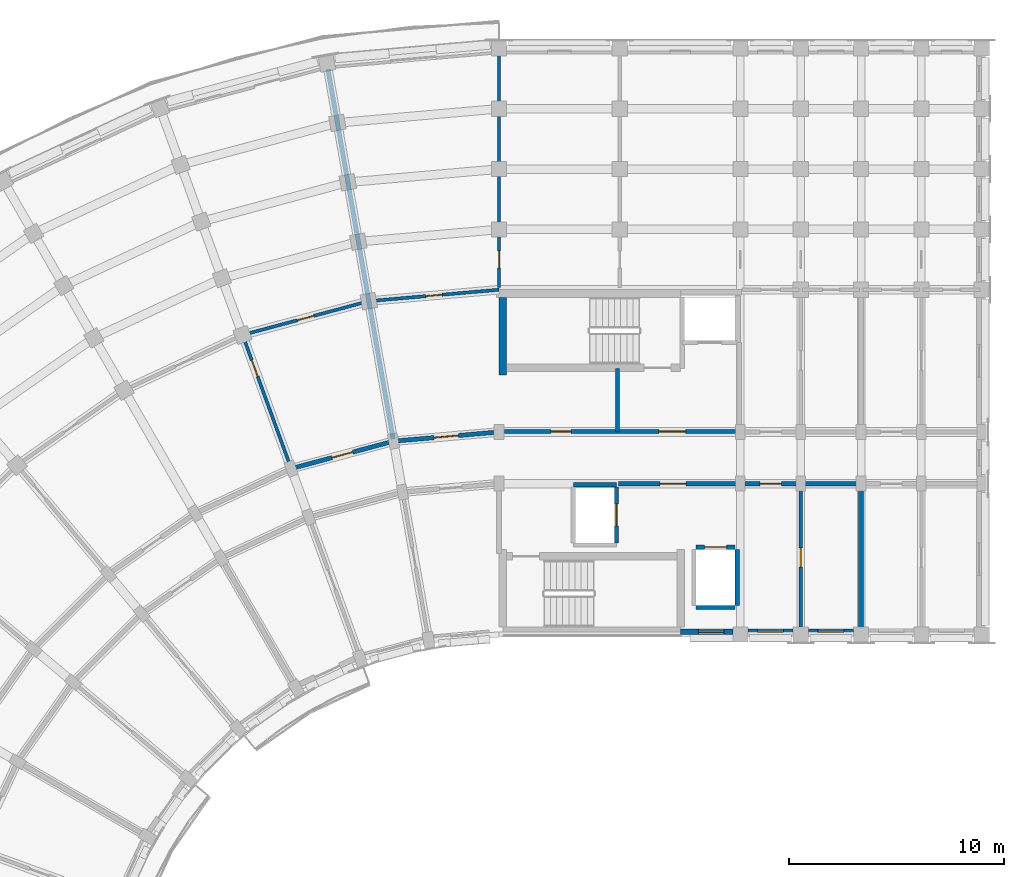
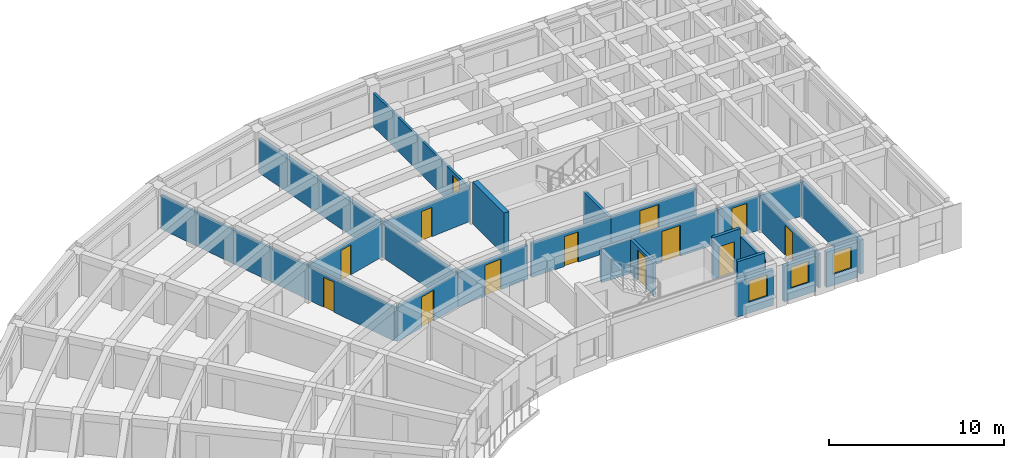
# One storey, part 27 of 57: 24 walls, 13 doors, 3 windows, 16 openings.
"""IFC4 building model written with IfcOpenShell, lengths in metres."""

from ifc_helpers import new_model, si_unit, direction, frame, frame_2d, origin, place, context, subcontext, project, spatial, rectangle, extrude, material, layer, layer_set, type_object, element, fill, save


model = new_model("IFC4")

# Units and contexts
model_context = context("Model", 3, precision=1e-05, world=origin(), true_north=direction((0.0, 1.0)))
body_context = subcontext(model_context, "Body", "Model", "MODEL_VIEW")
ifc_project = project(units=[si_unit("LENGTHUNIT", "METRE"), si_unit("AREAUNIT", "SQUARE_METRE"), si_unit("VOLUMEUNIT", "CUBIC_METRE"), si_unit("PLANEANGLEUNIT", "RADIAN"), si_unit("MASSUNIT", "GRAM", prefix="KILO")], contexts=[model_context])

# Site, building, storey
site_placement = place(None, origin())
site = spatial("IfcSite", under=ifc_project, at=site_placement, CompositionType="ELEMENT")
building_placement = place(site_placement, origin())
building = spatial("IfcBuilding", under=site, at=building_placement, Name="Kiranvali Square Residences", CompositionType="ELEMENT")
storey_placement = place(building_placement, frame((0.0, 0.0, 18.14990234375)))
storey = spatial("IfcBuildingStorey", under=building, at=storey_placement, Name="L05", CompositionType="ELEMENT", Elevation=18.14990234375)

# Wall, opening, door
ifc_material_1 = material(Name="Autoclaved aerated concrete blockwork masonry", Category="masonry")
ifc_layer_1 = layer(ifc_material_1, 0.199951171875)
ifc_layer_set_1 = layer_set([ifc_layer_1], Name="Autoclaved aerated concrete blockwork masonry")
wall_type_1 = type_object("IfcWallType", Name="WL-COR-200", PredefinedType="STANDARD", material=ifc_layer_set_1)
wall_1_placement = place(storey_placement, frame((53.75, 113.60009765625, 0.0), z_axis=(0.0, 0.0, 1.0), x_axis=(1.0, 0.0, 0.0)))
wall_1 = element("IfcWall", 1, at=wall_1_placement, inside=storey, type_object=wall_type_1, Name="L05 architectural wall WL-L05-A-LL-COR", PredefinedType="STANDARD", context=body_context, shape_type="SweptSolid", body=[
    extrude(rectangle(XDim=5.60009765625, YDim=0.199951171875, at=frame_2d((2.800048828125, 0.0))), origin(), (0.0, 0.0, 1.0), 2.3720703125),
])
opening_1_placement = place(wall_1_placement, frame((1.909912109375, 0.0, 0.0)))
opening_1 = element("IfcOpeningElement", 2, at=opening_1_placement, cuts=wall_1, Name="Opening FD-COR-60", PredefinedType="OPENING", context=body_context, shape_type="SweptSolid", body=[
    extrude(rectangle(XDim=1.219970703125, YDim=2.14990234375, at=frame_2d((0.60986328125, 1.074951171875))), frame((0.0, 0.10986328125, 0.0), z_axis=(0.0, -1.0, 0.0), x_axis=(1.0, 0.0, 0.0)), (0.0, 0.0, 1.0), 0.219970703125),
])
ifc_material_2 = material(Name="Fire-rated acoustic hardwood and mineral-core door assembly", Category="wood")
door_type_1 = type_object("IfcDoorType", Name="DR-FD60-1200", OperationType="NOTDEFINED", PredefinedType="DOOR", material=ifc_material_2)
door_1_placement = place(opening_1_placement, frame((1.219970703125, 0.0, 0.0), z_axis=(0.0, 0.0, 1.0), x_axis=(-1.0, 0.0, 0.0)))
door_1 = element("IfcDoor", 3, at=door_1_placement, inside=storey, type_object=door_type_1, Name="L05 door DR-L05-0338 (DR-FD60-1200)", OperationType="SINGLE_SWING_RIGHT", OverallHeight=2.14990234375, OverallWidth=1.219970703125, PredefinedType="DOOR", context=body_context, shape_type="SweptSolid", body=[
    extrude(rectangle(XDim=1.219970703125, YDim=2.14990234375, at=frame_2d((0.60986328125, 1.074951171875))), frame((0.0, 0.02490234375, 0.0), z_axis=(0.0, -1.0, 0.0), x_axis=(1.0, 0.0, 0.0)), (0.0, 0.0, 1.0), 0.050048828125),
])
fill(opening_1, door_1)

wall_2_placement = place(storey_placement, frame((59.39990234375, 113.60009765625, 0.0), z_axis=(0.0, 0.0, 1.0), x_axis=(1.0, 0.0, 0.0)))
wall_2 = element("IfcWall", 4, at=wall_2_placement, inside=storey, type_object=wall_type_1, Name="L05 architectural wall WL-L05-A-A1CI-0", PredefinedType="STANDARD", context=body_context, shape_type="SweptSolid", body=[
    extrude(rectangle(XDim=2.800048828125, YDim=0.199951171875, at=frame_2d((1.39990234375, 0.0))), origin(), (0.0, 0.0, 1.0), 2.3720703125),
])
opening_2_placement = place(wall_2_placement, frame((0.89990234375, 0.0, 0.0)))
opening_2 = element("IfcOpeningElement", 5, at=opening_2_placement, cuts=wall_2, Name="Opening FD-APT-60", PredefinedType="OPENING", context=body_context, shape_type="SweptSolid", body=[
    extrude(rectangle(XDim=1.0, YDim=2.14990234375, at=frame_2d((0.5, 1.074951171875))), frame((0.0, 0.10986328125, 0.0), z_axis=(0.0, -1.0, 0.0), x_axis=(1.0, 0.0, 0.0)), (0.0, 0.0, 1.0), 0.219970703125),
])
door_type_2 = type_object("IfcDoorType", Name="DR-APT-1000", OperationType="NOTDEFINED", PredefinedType="DOOR", material=ifc_material_2)
door_2_placement = place(opening_2_placement, frame((1.0, 0.0, 0.0), z_axis=(0.0, 0.0, 1.0), x_axis=(-1.0, 0.0, 0.0)))
door_2 = element("IfcDoor", 6, at=door_2_placement, inside=storey, type_object=door_type_2, Name="L05 door DR-L05-0342 (DR-APT-1000)", OperationType="SINGLE_SWING_RIGHT", OverallHeight=2.14990234375, OverallWidth=1.0, PredefinedType="DOOR", context=body_context, shape_type="SweptSolid", body=[
    extrude(rectangle(XDim=1.0, YDim=2.14990234375, at=frame_2d((0.5, 1.074951171875))), frame((0.0, 0.02490234375, 0.0), z_axis=(0.0, -1.0, 0.0), x_axis=(1.0, 0.0, 0.0)), (0.0, 0.0, 1.0), 0.050048828125),
])
fill(opening_2, door_2)

# Wall
wall_3_placement = place(storey_placement, frame((62.199951171875, 113.60009765625, 0.0), z_axis=(0.0, 0.0, 1.0), x_axis=(1.0, 0.0, 0.0)))
element("IfcWall", 7, at=wall_3_placement, inside=storey, type_object=wall_type_1, Name="L05 architectural wall WL-L05-A-A1CI-1", PredefinedType="STANDARD", context=body_context, shape_type="SweptSolid", body=[
    extrude(rectangle(XDim=2.800048828125, YDim=0.199951171875, at=frame_2d((1.39990234375, 0.0))), origin(), (0.0, 0.0, 1.0), 2.3720703125),
])

# Wall, opening, door
wall_4_placement = place(storey_placement, frame((48.199951171875, 116.0, 0.0), z_axis=(0.0, 0.0, 1.0), x_axis=(-0.996193663584, -0.087167566415, 0.0)))
wall_4 = element("IfcWall", 8, at=wall_4_placement, inside=storey, type_object=wall_type_1, Name="L05 architectural wall WL-L05-A-CCO-0", PredefinedType="STANDARD", context=body_context, shape_type="SweptSolid", body=[
    extrude(rectangle(XDim=4.91552734375, YDim=0.199951171875, at=frame_2d((2.457763671875, 0.0))), origin(), (0.0, 0.0, 1.0), 2.3720703125),
])
opening_3_placement = place(wall_4_placement, frame((1.8876953125, 0.0, 0.0)))
opening_3 = element("IfcOpeningElement", 9, at=opening_3_placement, cuts=wall_4, Name="Opening FD-APT-60D", PredefinedType="OPENING", context=body_context, shape_type="SweptSolid", body=[
    extrude(rectangle(XDim=1.139892578125, YDim=2.14990234375, at=frame_2d((0.56982421875, 1.074951171875))), frame((0.0, 0.10986328125, 0.0), z_axis=(0.0, -1.0, 0.0), x_axis=(1.0, 0.0, 0.0)), (0.0, 0.0, 1.0), 0.219970703125),
])
door_type_3 = type_object("IfcDoorType", Name="DR-APT-1140", OperationType="NOTDEFINED", PredefinedType="DOOR", material=ifc_material_2)
door_3_placement = place(opening_3_placement, frame((1.139892578125, 0.0, 0.0), z_axis=(0.0, 0.0, 1.0), x_axis=(-1.0, 0.0, 0.0)))
door_3 = element("IfcDoor", 10, at=door_3_placement, inside=storey, type_object=door_type_3, Name="L05 door DR-L05-0368 (DR-APT-1140)", OperationType="SINGLE_SWING_RIGHT", OverallHeight=2.14990234375, OverallWidth=1.139892578125, PredefinedType="DOOR", context=body_context, shape_type="SweptSolid", body=[
    extrude(rectangle(XDim=1.139892578125, YDim=2.14990234375, at=frame_2d((0.56982421875, 1.074951171875))), frame((0.0, 0.02490234375, 0.0), z_axis=(0.0, -1.0, 0.0), x_axis=(1.0, 0.0, 0.0)), (0.0, 0.0, 1.0), 0.050048828125),
])
fill(opening_3, door_3)

wall_5_placement = place(storey_placement, frame((43.30322265625, 115.571533203125, 0.0), z_axis=(0.0, 0.0, 1.0), x_axis=(-0.965930095386, -0.258803112091, 0.0)))
wall_5 = element("IfcWall", 11, at=wall_5_placement, inside=storey, type_object=wall_type_1, Name="L05 architectural wall WL-L05-A-CCO-1", PredefinedType="STANDARD", context=body_context, shape_type="SweptSolid", body=[
    extrude(rectangle(XDim=4.915771484375, YDim=0.199951171875, at=frame_2d((2.4580078125, 0.0))), origin(), (0.0, 0.0, 1.0), 2.3720703125),
])
opening_4_placement = place(wall_5_placement, frame((1.957763671875, 0.0, 0.0)))
opening_4 = element("IfcOpeningElement", 12, at=opening_4_placement, cuts=wall_5, Name="Opening FD-APT-60", PredefinedType="OPENING", context=body_context, shape_type="SweptSolid", body=[
    extrude(rectangle(XDim=1.0, YDim=2.14990234375, at=frame_2d((0.5, 1.074951171875))), frame((0.0, 0.10986328125, 0.0), z_axis=(0.0, -1.0, 0.0), x_axis=(1.0, 0.0, 0.0)), (0.0, 0.0, 1.0), 0.219970703125),
])
door_4_placement = place(opening_4_placement, frame((1.0, 0.0, 0.0), z_axis=(0.0, 0.0, 1.0), x_axis=(-1.0, 0.0, 0.0)))
door_4 = element("IfcDoor", 13, at=door_4_placement, inside=storey, type_object=door_type_2, Name="L05 door DR-L05-0370 (DR-APT-1000)", OperationType="SINGLE_SWING_RIGHT", OverallHeight=2.14990234375, OverallWidth=1.0, PredefinedType="DOOR", context=body_context, shape_type="SweptSolid", body=[
    extrude(rectangle(XDim=1.0, YDim=2.14990234375, at=frame_2d((0.5, 1.074951171875))), frame((0.0, 0.02490234375, 0.0), z_axis=(0.0, -1.0, 0.0), x_axis=(1.0, 0.0, 0.0)), (0.0, 0.0, 1.0), 0.050048828125),
])
fill(opening_4, door_4)

# Walls
ifc_layer_2 = layer(ifc_material_1, 0.219970703125)
ifc_layer_set_2 = layer_set([ifc_layer_2], Name="Autoclaved aerated concrete blockwork masonry")
wall_type_2 = type_object("IfcWallType", Name="WL-DEM-220", PredefinedType="STANDARD", material=ifc_layer_set_2)
wall_6_placement = place(storey_placement, frame((65.0, 106.800048828125, 0.0), z_axis=(0.0, 0.0, 1.0), x_axis=(0.0, 1.0, 0.0)))
element("IfcWall", 14, at=wall_6_placement, inside=storey, type_object=wall_type_2, Name="L05 architectural wall WL-L05-A-A1TI-2", PredefinedType="STANDARD", context=body_context, shape_type="SweptSolid", body=[
    extrude(rectangle(XDim=6.75, YDim=0.219970703125, at=frame_2d((3.375, 0.0))), origin(), (0.0, 0.0, 1.0), 2.3720703125),
])
wall_7_placement = place(storey_placement, frame((43.28564453125, 115.670166015625, 0.0), z_axis=(0.0, 0.0, 1.0), x_axis=(-0.173646216546, 0.984808098809, 0.0)))
element("IfcWall", 15, at=wall_7_placement, inside=storey, type_object=wall_type_2, Name="L05 architectural wall WL-L05-A-RADO-1", PredefinedType="STANDARD", context=body_context, shape_type="SweptSolid", body=[
    extrude(rectangle(XDim=17.419921875, YDim=0.219970703125, at=frame_2d((8.7099609375, 0.0))), origin(), (0.0, 0.0, 1.0), 2.3720703125),
])

# Wall, opening, window
ifc_material_3 = material(Name="Breathable lime-rendered clay brick masonry", Category="masonry")
ifc_layer_3 = layer(ifc_material_3, 0.25)
ifc_layer_set_3 = layer_set([ifc_layer_3], Name="Breathable lime-rendered clay brick masonry")
wall_type_3 = type_object("IfcWallType", Name="WL-EXT-250", PredefinedType="STANDARD", material=ifc_layer_set_3)
wall_8_placement = place(storey_placement, frame((56.62841796875, 106.72509765625, 0.0), z_axis=(0.0, 0.0, 1.0), x_axis=(1.0, 0.0, 0.0)))
wall_8 = element("IfcWall", 16, at=wall_8_placement, inside=storey, type_object=wall_type_3, Name="L05 exterior wall A-L05-A1IN-0", PredefinedType="STANDARD", context=body_context, shape_type="SweptSolid", body=[
    extrude(rectangle(XDim=2.421630859375, YDim=0.25, at=frame_2d((1.2109375, 0.0))), origin(), (0.0, 0.0, 1.0), 2.47216796875),
])
opening_5_placement = place(wall_8_placement, frame((0.821533203125, 0.0, 0.77197265625)))
opening_5 = element("IfcOpeningElement", 17, at=opening_5_placement, cuts=wall_8, Name="Opening W-06", PredefinedType="OPENING", context=body_context, shape_type="SweptSolid", body=[
    extrude(rectangle(XDim=1.199951171875, YDim=1.5, at=frame_2d((0.60009765625, 0.75))), frame((0.0, 0.135009765625, 0.0), z_axis=(0.0, -1.0, 0.0), x_axis=(1.0, 0.0, 0.0)), (0.0, 0.0, 1.0), 0.27001953125),
])
ifc_material_4 = material(Name="Solar-control low-e double glazing", Category="glass")
window_type = type_object("IfcWindowType", Name="WIN-RES-1200x1500", PartitioningType="SINGLE_PANEL", PredefinedType="WINDOW", material=ifc_material_4)
window_1_placement = place(opening_5_placement, origin())
window_1 = element("IfcWindow", 18, at=window_1_placement, inside=storey, type_object=window_type, Name="L05 recessed window A-L05-A1IN-0", OverallHeight=1.5, OverallWidth=1.199951171875, PartitioningType="SINGLE_PANEL", PredefinedType="WINDOW", context=body_context, shape_type="SweptSolid", body=[
    extrude(rectangle(XDim=1.199951171875, YDim=1.5, at=frame_2d((0.60009765625, 0.75))), frame((0.0, 0.030029296875, 0.0), z_axis=(0.0, -1.0, 0.0), x_axis=(1.0, 0.0, 0.0)), (0.0, 0.0, 1.0), 0.06005859375),
])
fill(opening_5, window_1)

wall_9_placement = place(storey_placement, frame((59.75341796875, 106.72509765625, 0.0), z_axis=(0.0, 0.0, 1.0), x_axis=(1.0, 0.0, 0.0)))
wall_9 = element("IfcWall", 19, at=wall_9_placement, inside=storey, type_object=wall_type_3, Name="L05 exterior wall A-L05-A1I-0", PredefinedType="STANDARD", context=body_context, shape_type="SweptSolid", body=[
    extrude(rectangle(XDim=2.093017578125, YDim=0.25, at=frame_2d((1.04638671875, 0.0))), origin(), (0.0, 0.0, 1.0), 2.47216796875),
])
opening_6_placement = place(wall_9_placement, frame((0.446533203125, 0.0, 0.77197265625)))
opening_6 = element("IfcOpeningElement", 20, at=opening_6_placement, cuts=wall_9, Name="Opening W-06", PredefinedType="OPENING", context=body_context, shape_type="SweptSolid", body=[
    extrude(rectangle(XDim=1.199951171875, YDim=1.5, at=frame_2d((0.60009765625, 0.75))), frame((0.0, 0.135009765625, 0.0), z_axis=(0.0, -1.0, 0.0), x_axis=(1.0, 0.0, 0.0)), (0.0, 0.0, 1.0), 0.27001953125),
])
window_2_placement = place(opening_6_placement, origin())
window_2 = element("IfcWindow", 21, at=window_2_placement, inside=storey, type_object=window_type, Name="L05 recessed window A-L05-A1I-0", OverallHeight=1.5, OverallWidth=1.199951171875, PartitioningType="SINGLE_PANEL", PredefinedType="WINDOW", context=body_context, shape_type="SweptSolid", body=[
    extrude(rectangle(XDim=1.199951171875, YDim=1.5, at=frame_2d((0.60009765625, 0.75))), frame((0.0, 0.030029296875, 0.0), z_axis=(0.0, -1.0, 0.0), x_axis=(1.0, 0.0, 0.0)), (0.0, 0.0, 1.0), 0.06005859375),
])
fill(opening_6, window_2)

wall_10_placement = place(storey_placement, frame((62.553466796875, 106.72509765625, 0.0), z_axis=(0.0, 0.0, 1.0), x_axis=(1.0, 0.0, 0.0)))
wall_10 = element("IfcWall", 22, at=wall_10_placement, inside=storey, type_object=wall_type_3, Name="L05 exterior wall A-L05-A1I-1", PredefinedType="STANDARD", context=body_context, shape_type="SweptSolid", body=[
    extrude(rectangle(XDim=2.093017578125, YDim=0.25, at=frame_2d((1.04638671875, 0.0))), origin(), (0.0, 0.0, 1.0), 2.47216796875),
])
opening_7_placement = place(wall_10_placement, frame((0.446533203125, 0.0, 0.77197265625)))
opening_7 = element("IfcOpeningElement", 23, at=opening_7_placement, cuts=wall_10, Name="Opening W-06", PredefinedType="OPENING", context=body_context, shape_type="SweptSolid", body=[
    extrude(rectangle(XDim=1.199951171875, YDim=1.5, at=frame_2d((0.60009765625, 0.75))), frame((0.0, 0.135009765625, 0.0), z_axis=(0.0, -1.0, 0.0), x_axis=(1.0, 0.0, 0.0)), (0.0, 0.0, 1.0), 0.27001953125),
])
window_3_placement = place(opening_7_placement, origin())
window_3 = element("IfcWindow", 24, at=window_3_placement, inside=storey, type_object=window_type, Name="L05 recessed window A-L05-A1I-1", OverallHeight=1.5, OverallWidth=1.199951171875, PartitioningType="SINGLE_PANEL", PredefinedType="WINDOW", context=body_context, shape_type="SweptSolid", body=[
    extrude(rectangle(XDim=1.199951171875, YDim=1.5, at=frame_2d((0.60009765625, 0.75))), frame((0.0, 0.030029296875, 0.0), z_axis=(0.0, -1.0, 0.0), x_axis=(1.0, 0.0, 0.0)), (0.0, 0.0, 1.0), 0.06005859375),
])
fill(opening_7, window_3)

# Wall, opening, door
ifc_layer_4 = layer(ifc_material_1, 0.199951171875)
ifc_layer_set_4 = layer_set([ifc_layer_4], Name="Autoclaved aerated concrete blockwork masonry")
wall_type_4 = type_object("IfcWallType", Name="WL-FFL-200", PredefinedType="STANDARD", material=ifc_layer_set_4)
wall_11_placement = place(storey_placement, frame((53.699951171875, 116.02001953125, 0.0), z_axis=(0.0, 0.0, 1.0), x_axis=(1.0, 0.0, 0.0)))
wall_11 = element("IfcWall", 25, at=wall_11_placement, inside=storey, type_object=wall_type_4, Name="L05 architectural wall WL-L05-A-FF-COR", PredefinedType="STANDARD", context=body_context, shape_type="SweptSolid", body=[
    extrude(rectangle(XDim=5.650146484375, YDim=0.199951171875, at=frame_2d((2.8251953125, 0.0))), origin(), (0.0, 0.0, 1.0), 2.3720703125),
])
opening_8_placement = place(wall_11_placement, frame((1.922607421875, 0.0, 0.0)))
opening_8 = element("IfcOpeningElement", 26, at=opening_8_placement, cuts=wall_11, Name="Opening FD-ST-120", PredefinedType="OPENING", context=body_context, shape_type="SweptSolid", body=[
    extrude(rectangle(XDim=1.239990234375, YDim=2.14990234375, at=frame_2d((0.6201171875, 1.074951171875))), frame((0.0, 0.10986328125, 0.0), z_axis=(0.0, -1.0, 0.0), x_axis=(1.0, 0.0, 0.0)), (0.0, 0.0, 1.0), 0.219970703125),
])
door_type_4 = type_object("IfcDoorType", Name="DR-FD120-1200", OperationType="NOTDEFINED", PredefinedType="DOOR", material=ifc_material_2)
door_5_placement = place(opening_8_placement, frame((1.239990234375, 0.0, 0.0), z_axis=(0.0, 0.0, 1.0), x_axis=(-1.0, 0.0, 0.0)))
door_5 = element("IfcDoor", 27, at=door_5_placement, inside=storey, type_object=door_type_4, Name="L05 door DR-L05-0330 (DR-FD120-1200)", OperationType="SINGLE_SWING_RIGHT", OverallHeight=2.14990234375, OverallWidth=1.239990234375, PredefinedType="DOOR", context=body_context, shape_type="SweptSolid", body=[
    extrude(rectangle(XDim=1.239990234375, YDim=2.14990234375, at=frame_2d((0.6201171875, 1.074951171875))), frame((0.0, 0.02490234375, 0.0), z_axis=(0.0, -1.0, 0.0), x_axis=(1.0, 0.0, 0.0)), (0.0, 0.0, 1.0), 0.050048828125),
])
fill(opening_8, door_5)

# Wall
wall_12_placement = place(storey_placement, frame((53.699951171875, 116.02001953125, 0.0), z_axis=(0.0, 0.0, 1.0), x_axis=(0.0, 1.0, 0.0)))
element("IfcWall", 28, at=wall_12_placement, inside=storey, type_object=wall_type_4, Name="L05 architectural wall WL-L05-A-FF-DIV", PredefinedType="STANDARD", context=body_context, shape_type="SweptSolid", body=[
    extrude(rectangle(XDim=2.929931640625, YDim=0.199951171875, at=frame_2d((1.46484375, 0.0))), origin(), (0.0, 0.0, 1.0), 2.3720703125),
])

# Wall, opening, door
ifc_material_5 = material(Name="Acoustic gypsum board drylined partition", Category="gypsum")
ifc_layer_5 = layer(ifc_material_5, 0.14990234375)
ifc_layer_set_5 = layer_set([ifc_layer_5], Name="Acoustic gypsum board drylined partition")
wall_type_5 = type_object("IfcWallType", Name="WL-PRT-150", PredefinedType="PARTITIONING", material=ifc_layer_set_5)
wall_13_placement = place(storey_placement, frame((62.199951171875, 106.800048828125, 0.0), z_axis=(0.0, 0.0, 1.0), x_axis=(0.0, 1.0, 0.0)))
wall_13 = element("IfcWall", 29, at=wall_13_placement, inside=storey, type_object=wall_type_5, Name="L05 architectural wall WL-L05-A-A1TI-1", PredefinedType="PARTITIONING", context=body_context, shape_type="SweptSolid", body=[
    extrude(rectangle(XDim=6.75, YDim=0.14990234375, at=frame_2d((3.375, 0.0))), origin(), (0.0, 0.0, 1.0), 2.3720703125),
])
opening_9_placement = place(wall_13_placement, frame((2.925048828125, 0.0, 0.0)))
opening_9 = element("IfcOpeningElement", 30, at=opening_9_placement, cuts=wall_13, Name="Opening ID-1", PredefinedType="OPENING", context=body_context, shape_type="SweptSolid", body=[
    extrude(rectangle(XDim=0.89990234375, YDim=2.10009765625, at=frame_2d((0.449951171875, 1.050048828125))), frame((0.0, 0.0849609375, 0.0), z_axis=(0.0, -1.0, 0.0), x_axis=(1.0, 0.0, 0.0)), (0.0, 0.0, 1.0), 0.169921875),
])
ifc_material_6 = material(Name="Solid seasoned teak hardwood joinery", Category="wood")
door_type_5 = type_object("IfcDoorType", Name="DR-INT-900", OperationType="NOTDEFINED", PredefinedType="DOOR", material=ifc_material_6)
door_6_placement = place(opening_9_placement, origin())
door_6 = element("IfcDoor", 31, at=door_6_placement, inside=storey, type_object=door_type_5, Name="L05 door DR-L05-0351 (DR-INT-900)", OperationType="SINGLE_SWING_LEFT", OverallHeight=2.10009765625, OverallWidth=0.89990234375, PredefinedType="DOOR", context=body_context, shape_type="SweptSolid", body=[
    extrude(rectangle(XDim=0.89990234375, YDim=2.10009765625, at=frame_2d((0.449951171875, 1.050048828125))), frame((0.0, 0.02490234375, 0.0), z_axis=(0.0, -1.0, 0.0), x_axis=(1.0, 0.0, 0.0)), (0.0, 0.0, 1.0), 0.050048828125),
])
fill(opening_9, door_6)

wall_14_placement = place(storey_placement, frame((48.199951171875, 122.699951171875, 0.0), z_axis=(0.0, 0.0, 1.0), x_axis=(0.0, 1.0, 0.0)))
wall_14 = element("IfcWall", 32, at=wall_14_placement, inside=storey, type_object=wall_type_5, Name="L05 architectural wall WL-L05-A-RADO-0", PredefinedType="PARTITIONING", context=body_context, shape_type="SweptSolid", body=[
    extrude(rectangle(XDim=10.820068359375, YDim=0.14990234375, at=frame_2d((5.41015625, 0.0))), origin(), (0.0, 0.0, 1.0), 2.3720703125),
])
opening_10_placement = place(wall_14_placement, frame((0.8994140625, 0.0, 0.0)))
opening_10 = element("IfcOpeningElement", 33, at=opening_10_placement, cuts=wall_14, Name="Opening ID-WET", PredefinedType="OPENING", context=body_context, shape_type="SweptSolid", body=[
    extrude(rectangle(XDim=0.800048828125, YDim=2.10009765625, at=frame_2d((0.39990234375, 1.050048828125))), frame((0.0, 0.0849609375, 0.0), z_axis=(0.0, -1.0, 0.0), x_axis=(1.0, 0.0, 0.0)), (0.0, 0.0, 1.0), 0.169921875),
])
door_type_6 = type_object("IfcDoorType", Name="DR-WET-800", OperationType="NOTDEFINED", PredefinedType="DOOR", material=ifc_material_6)
door_7_placement = place(opening_10_placement, origin())
door_7 = element("IfcDoor", 34, at=door_7_placement, inside=storey, type_object=door_type_6, Name="L05 door DR-L05-0357 (DR-WET-800)", OperationType="SINGLE_SWING_LEFT", OverallHeight=2.10009765625, OverallWidth=0.800048828125, PredefinedType="DOOR", context=body_context, shape_type="SweptSolid", body=[
    extrude(rectangle(XDim=0.800048828125, YDim=2.10009765625, at=frame_2d((0.39990234375, 1.050048828125))), frame((0.0, 0.02490234375, 0.0), z_axis=(0.0, -1.0, 0.0), x_axis=(1.0, 0.0, 0.0)), (0.0, 0.0, 1.0), 0.050048828125),
])
fill(opening_10, door_7)

wall_15_placement = place(storey_placement, frame((38.520751953125, 114.393310546875, 0.0), z_axis=(0.0, 0.0, 1.0), x_axis=(-0.342022120477, 0.939691901159, 0.0)))
wall_15 = element("IfcWall", 35, at=wall_15_placement, inside=storey, type_object=wall_type_5, Name="L05 architectural wall WL-L05-A-RADO-2", PredefinedType="PARTITIONING", context=body_context, shape_type="SweptSolid", body=[
    extrude(rectangle(XDim=17.419921875, YDim=0.14990234375, at=frame_2d((8.7099609375, 0.0))), origin(), (0.0, 0.0, 1.0), 2.3720703125),
])
opening_11_placement = place(wall_15_placement, frame((4.44970703125, 0.0, 0.0)))
opening_11 = element("IfcOpeningElement", 36, at=opening_11_placement, cuts=wall_15, Name="Opening ID-WET", PredefinedType="OPENING", context=body_context, shape_type="SweptSolid", body=[
    extrude(rectangle(XDim=0.800048828125, YDim=2.10009765625, at=frame_2d((0.39990234375, 1.050048828125))), frame((0.0, 0.0849609375, 0.0), z_axis=(0.0, -1.0, 0.0), x_axis=(1.0, 0.0, 0.0)), (0.0, 0.0, 1.0), 0.169921875),
])
door_8_placement = place(opening_11_placement, frame((0.800048828125, 0.0, 0.0), z_axis=(0.0, 0.0, 1.0), x_axis=(-1.0, 0.0, 0.0)))
door_8 = element("IfcDoor", 37, at=door_8_placement, inside=storey, type_object=door_type_6, Name="L05 door DR-L05-0360 (DR-WET-800)", OperationType="SINGLE_SWING_RIGHT", OverallHeight=2.10009765625, OverallWidth=0.800048828125, PredefinedType="DOOR", context=body_context, shape_type="SweptSolid", body=[
    extrude(rectangle(XDim=0.800048828125, YDim=2.10009765625, at=frame_2d((0.39990234375, 1.050048828125))), frame((0.0, 0.02490234375, 0.0), z_axis=(0.0, -1.0, 0.0), x_axis=(1.0, 0.0, 0.0)), (0.0, 0.0, 1.0), 0.050048828125),
])
fill(opening_11, door_8)

ifc_layer_6 = layer(ifc_material_1, 0.199951171875)
ifc_layer_set_6 = layer_set([ifc_layer_6], Name="Autoclaved aerated concrete blockwork masonry")
wall_type_6 = type_object("IfcWallType", Name="WL-SHF-200", PredefinedType="STANDARD", material=ifc_layer_set_6)
wall_16_placement = place(storey_placement, frame((48.449951171875, 116.02001953125, 0.0), z_axis=(0.0, 0.0, 1.0), x_axis=(1.0, 0.0, 0.0)))
wall_16 = element("IfcWall", 38, at=wall_16_placement, inside=storey, type_object=wall_type_6, Name="L05 architectural wall WL-L05-A-RSR-COR", PredefinedType="STANDARD", context=body_context, shape_type="SweptSolid", body=[
    extrude(rectangle(XDim=5.25, YDim=0.199951171875, at=frame_2d((2.625, 0.0))), origin(), (0.0, 0.0, 1.0), 2.3720703125),
])
opening_12_placement = place(wall_16_placement, frame((2.1650390625, 0.0, 0.0)))
opening_12 = element("IfcOpeningElement", 39, at=opening_12_placement, cuts=wall_16, Name="Opening FD-SVC-120", PredefinedType="OPENING", context=body_context, shape_type="SweptSolid", body=[
    extrude(rectangle(XDim=0.919921875, YDim=2.10009765625, at=frame_2d((0.4599609375, 1.050048828125))), frame((0.0, 0.10986328125, 0.0), z_axis=(0.0, -1.0, 0.0), x_axis=(1.0, 0.0, 0.0)), (0.0, 0.0, 1.0), 0.219970703125),
])
door_type_7 = type_object("IfcDoorType", Name="DR-SVC-900", OperationType="NOTDEFINED", PredefinedType="DOOR", material=ifc_material_2)
door_9_placement = place(opening_12_placement, origin())
door_9 = element("IfcDoor", 40, at=door_9_placement, inside=storey, type_object=door_type_7, Name="L05 door DR-L05-0331 (DR-SVC-900)", OperationType="SINGLE_SWING_LEFT", OverallHeight=2.10009765625, OverallWidth=0.919921875, PredefinedType="DOOR", context=body_context, shape_type="SweptSolid", body=[
    extrude(rectangle(XDim=0.919921875, YDim=2.10009765625, at=frame_2d((0.4599609375, 1.050048828125))), frame((0.0, 0.02490234375, 0.0), z_axis=(0.0, -1.0, 0.0), x_axis=(1.0, 0.0, 0.0)), (0.0, 0.0, 1.0), 0.050048828125),
])
fill(opening_12, door_9)

# Walls
wall_17_placement = place(storey_placement, frame((59.25, 107.949951171875, 0.0), z_axis=(0.0, 0.0, 1.0), x_axis=(0.0, 1.0, 0.0)))
element("IfcWall", 41, at=wall_17_placement, inside=storey, type_object=wall_type_6, Name="L05 architectural wall WL-L05-A-LP1-B", PredefinedType="STANDARD", context=body_context, shape_type="SweptSolid", body=[
    extrude(rectangle(XDim=2.60009765625, YDim=0.199951171875, at=frame_2d((1.300048828125, 0.0))), origin(), (0.0, 0.0, 1.0), 2.3720703125),
])
wall_18_placement = place(storey_placement, frame((57.35009765625, 107.85009765625, 0.0), z_axis=(0.0, 0.0, 1.0), x_axis=(1.0, 0.0, 0.0)))
element("IfcWall", 42, at=wall_18_placement, inside=storey, type_object=wall_type_6, Name="L05 architectural wall WL-L05-A-LP1-S2", PredefinedType="STANDARD", context=body_context, shape_type="SweptSolid", body=[
    extrude(rectangle(XDim=1.7998046875, YDim=0.199951171875, at=frame_2d((0.89990234375, 0.0))), origin(), (0.0, 0.0, 1.0), 2.93017578125),
])

# Wall, opening, door
wall_19_placement = place(storey_placement, frame((57.35009765625, 110.64990234375, 0.0), z_axis=(0.0, 0.0, 1.0), x_axis=(1.0, 0.0, 0.0)))
wall_19 = element("IfcWall", 43, at=wall_19_placement, inside=storey, type_object=wall_type_6, Name="L05 architectural wall WL-L05-A-LP1-F", PredefinedType="STANDARD", context=body_context, shape_type="SweptSolid", body=[
    extrude(rectangle(XDim=1.7998046875, YDim=0.199951171875, at=frame_2d((0.89990234375, 0.0))), origin(), (0.0, 0.0, 1.0), 2.93017578125),
])
opening_13_placement = place(wall_19_placement, frame((0.389892578125, 0.0, 0.0)))
opening_13 = element("IfcOpeningElement", 44, at=opening_13_placement, cuts=wall_19, Name="Opening LD-PAX-100", PredefinedType="OPENING", context=body_context, shape_type="SweptSolid", body=[
    extrude(rectangle(XDim=1.02001953125, YDim=2.14990234375, at=frame_2d((0.510009765625, 1.074951171875))), frame((0.0, 0.10986328125, 0.0), z_axis=(0.0, -1.0, 0.0), x_axis=(1.0, 0.0, 0.0)), (0.0, 0.0, 1.0), 0.219970703125),
])
door_type_8 = type_object("IfcDoorType", Name="DR-LIFT-1000", OperationType="SLIDING_TO_RIGHT", PredefinedType="DOOR", material=ifc_material_2)
door_10_placement = place(opening_13_placement, origin())
door_10 = element("IfcDoor", 45, at=door_10_placement, inside=storey, type_object=door_type_8, Name="L05 door DR-L05-0336 (DR-LIFT-1000)", OperationType="SLIDING_TO_RIGHT", OverallHeight=2.14990234375, OverallWidth=1.02001953125, PredefinedType="DOOR", context=body_context, shape_type="SweptSolid", body=[
    extrude(rectangle(XDim=1.02001953125, YDim=2.14990234375, at=frame_2d((0.510009765625, 1.074951171875))), frame((0.0, 0.02490234375, 0.0), z_axis=(0.0, -1.0, 0.0), x_axis=(1.0, 0.0, 0.0)), (0.0, 0.0, 1.0), 0.050048828125),
])
fill(opening_13, door_10)

# Wall
wall_20_placement = place(storey_placement, frame((51.64990234375, 113.550048828125, 0.0), z_axis=(0.0, 0.0, 1.0), x_axis=(1.0, 0.0, 0.0)))
element("IfcWall", 46, at=wall_20_placement, inside=storey, type_object=wall_type_6, Name="L05 architectural wall WL-L05-A-LP2-B", PredefinedType="STANDARD", context=body_context, shape_type="SweptSolid", body=[
    extrude(rectangle(XDim=2.0, YDim=0.199951171875, at=frame_2d((1.0, 0.0))), origin(), (0.0, 0.0, 1.0), 2.3720703125),
])

# Wall, opening, door
wall_21_placement = place(storey_placement, frame((53.64990234375, 110.85009765625, 0.0), z_axis=(0.0, 0.0, 1.0), x_axis=(0.0, 1.0, 0.0)))
wall_21 = element("IfcWall", 47, at=wall_21_placement, inside=storey, type_object=wall_type_6, Name="L05 architectural wall WL-L05-A-LP2-F", PredefinedType="STANDARD", context=body_context, shape_type="SweptSolid", body=[
    extrude(rectangle(XDim=2.599853515625, YDim=0.199951171875, at=frame_2d((1.2998046875, 0.0))), origin(), (0.0, 0.0, 1.0), 2.3720703125),
])
opening_14_placement = place(wall_21_placement, frame((0.7900390625, 0.0, 0.0)))
opening_14 = element("IfcOpeningElement", 48, at=opening_14_placement, cuts=wall_21, Name="Opening LD-PAX-100", PredefinedType="OPENING", context=body_context, shape_type="SweptSolid", body=[
    extrude(rectangle(XDim=1.02001953125, YDim=2.14990234375, at=frame_2d((0.510009765625, 1.074951171875))), frame((0.0, 0.10986328125, 0.0), z_axis=(0.0, -1.0, 0.0), x_axis=(1.0, 0.0, 0.0)), (0.0, 0.0, 1.0), 0.219970703125),
])
door_11_placement = place(opening_14_placement, origin())
door_11 = element("IfcDoor", 49, at=door_11_placement, inside=storey, type_object=door_type_8, Name="L05 door DR-L05-0337 (DR-LIFT-1000)", OperationType="SLIDING_TO_RIGHT", OverallHeight=2.14990234375, OverallWidth=1.02001953125, PredefinedType="DOOR", context=body_context, shape_type="SweptSolid", body=[
    extrude(rectangle(XDim=1.02001953125, YDim=2.14990234375, at=frame_2d((0.510009765625, 1.074951171875))), frame((0.0, 0.02490234375, 0.0), z_axis=(0.0, -1.0, 0.0), x_axis=(1.0, 0.0, 0.0)), (0.0, 0.0, 1.0), 0.050048828125),
])
fill(opening_14, door_11)

# Wall
ifc_material_7 = material(Name="Concrete M50 (50 MPa)", Category="concrete")
ifc_layer_7 = layer(ifc_material_7, 0.35009765625)
ifc_layer_set_7 = layer_set([ifc_layer_7], Name="Concrete M50 (50 MPa)")
wall_type_7 = type_object("IfcWallType", Name="WL-SHR-350", PredefinedType="SHEAR", material=ifc_layer_set_7)
wall_22_placement = place(storey_placement, frame((48.375, 118.64990234375, 0.0), z_axis=(0.0, 0.0, 1.0), x_axis=(0.0, 1.0, 0.0)))
element("IfcWall", 50, at=wall_22_placement, inside=storey, type_object=wall_type_7, Name="Block A core shear wall SW-A1-FAR-L05", PredefinedType="SHEAR", context=body_context, shape_type="SweptSolid", body=[
    extrude(rectangle(XDim=3.60009765625, YDim=0.35009765625, at=frame_2d((1.800048828125, 0.0))), origin(), (0.0, 0.0, 1.0), 2.93017578125),
])

# Wall, opening, door
ifc_layer_8 = layer(ifc_material_1, 0.14990234375)
ifc_layer_set_8 = layer_set([ifc_layer_8], Name="Autoclaved aerated concrete blockwork masonry")
wall_type_8 = type_object("IfcWallType", Name="WL-WET-150", PredefinedType="PLUMBINGWALL", material=ifc_layer_set_8)
wall_23_placement = place(storey_placement, frame((48.199951171875, 122.60009765625, 0.0), z_axis=(0.0, 0.0, 1.0), x_axis=(-0.996193018494, -0.087174938512, 0.0)))
wall_23 = element("IfcWall", 51, at=wall_23_placement, inside=storey, type_object=wall_type_8, Name="L05 architectural wall WL-L05-A-CWET-0", PredefinedType="PLUMBINGWALL", context=body_context, shape_type="SweptSolid", body=[
    extrude(rectangle(XDim=6.066162109375, YDim=0.14990234375, at=frame_2d((3.033203125, 0.0))), origin(), (0.0, 0.0, 1.0), 2.3720703125),
])
opening_15_placement = place(wall_23_placement, frame((2.653076171875, 0.0, 0.0)))
opening_15 = element("IfcOpeningElement", 52, at=opening_15_placement, cuts=wall_23, Name="Opening ID-WET0", PredefinedType="OPENING", context=body_context, shape_type="SweptSolid", body=[
    extrude(rectangle(XDim=0.760009765625, YDim=2.050048828125, at=frame_2d((0.3798828125, 1.02490234375))), frame((0.0, 0.0849609375, 0.0), z_axis=(0.0, -1.0, 0.0), x_axis=(1.0, 0.0, 0.0)), (0.0, 0.0, 1.0), 0.169921875),
])
door_type_9 = type_object("IfcDoorType", Name="DR-WET-760", OperationType="NOTDEFINED", PredefinedType="DOOR", material=ifc_material_6)
door_12_placement = place(opening_15_placement, origin())
door_12 = element("IfcDoor", 53, at=door_12_placement, inside=storey, type_object=door_type_9, Name="L05 door DR-L05-0369 (DR-WET-760)", OperationType="SINGLE_SWING_LEFT", OverallHeight=2.050048828125, OverallWidth=0.760009765625, PredefinedType="DOOR", context=body_context, shape_type="SweptSolid", body=[
    extrude(rectangle(XDim=0.760009765625, YDim=2.050048828125, at=frame_2d((0.3798828125, 1.02490234375))), frame((0.0, 0.02490234375, 0.0), z_axis=(0.0, -1.0, 0.0), x_axis=(1.0, 0.0, 0.0)), (0.0, 0.0, 1.0), 0.050048828125),
])
fill(opening_15, door_12)

wall_24_placement = place(storey_placement, frame((42.156982421875, 122.0712890625, 0.0), z_axis=(0.0, 0.0, 1.0), x_axis=(-0.965923618901, -0.258827283048, 0.0)))
wall_24 = element("IfcWall", 54, at=wall_24_placement, inside=storey, type_object=wall_type_8, Name="L05 architectural wall WL-L05-A-CWET-1", PredefinedType="PLUMBINGWALL", context=body_context, shape_type="SweptSolid", body=[
    extrude(rectangle(XDim=6.066162109375, YDim=0.14990234375, at=frame_2d((3.033203125, 0.0))), origin(), (0.0, 0.0, 1.0), 2.3720703125),
])
opening_16_placement = place(wall_24_placement, frame((2.633056640625, 0.0, 0.0)))
opening_16 = element("IfcOpeningElement", 55, at=opening_16_placement, cuts=wall_24, Name="Opening ID-WET", PredefinedType="OPENING", context=body_context, shape_type="SweptSolid", body=[
    extrude(rectangle(XDim=0.800048828125, YDim=2.10009765625, at=frame_2d((0.39990234375, 1.050048828125))), frame((0.0, 0.0849609375, 0.0), z_axis=(0.0, -1.0, 0.0), x_axis=(1.0, 0.0, 0.0)), (0.0, 0.0, 1.0), 0.169921875),
])
door_13_placement = place(opening_16_placement, origin())
door_13 = element("IfcDoor", 56, at=door_13_placement, inside=storey, type_object=door_type_6, Name="L05 door DR-L05-0371 (DR-WET-800)", OperationType="SINGLE_SWING_LEFT", OverallHeight=2.10009765625, OverallWidth=0.800048828125, PredefinedType="DOOR", context=body_context, shape_type="SweptSolid", body=[
    extrude(rectangle(XDim=0.800048828125, YDim=2.10009765625, at=frame_2d((0.39990234375, 1.050048828125))), frame((0.0, 0.02490234375, 0.0), z_axis=(0.0, -1.0, 0.0), x_axis=(1.0, 0.0, 0.0)), (0.0, 0.0, 1.0), 0.050048828125),
])
fill(opening_16, door_13)

save(model, "model.ifc")
